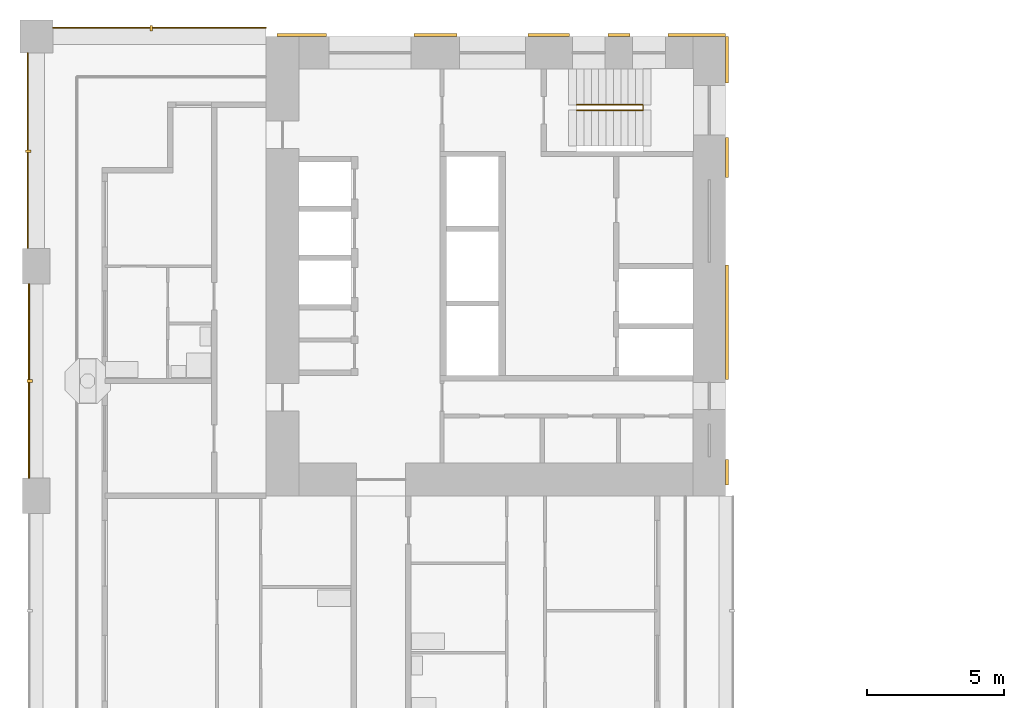
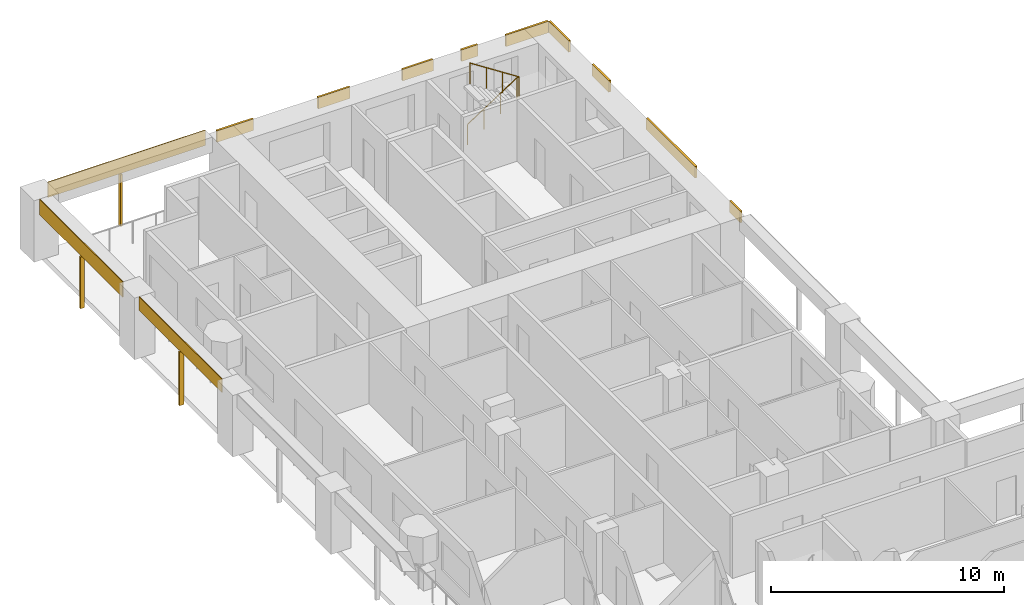
# One storey, part 14 of 18: 15 shading devices, 1 railing.
"""IFC4 building model written with IfcOpenShell, lengths in metres."""

from ifc_helpers import new_model, si_unit, direction, frame, origin, origin_2d, place, context, subcontext, project, spatial, rectangle, circle, extrude, material, layer, layer_set, material_profile, profile_set, type_object, element, save


model = new_model("IFC4")

# Units and contexts
model_context = context("Model", 3, precision=1e-05, world=origin(), true_north=direction((0.0, 1.0)))
body_context = subcontext(model_context, "Body", "Model", "MODEL_VIEW")
ifc_project = project(units=[si_unit("LENGTHUNIT", "METRE"), si_unit("AREAUNIT", "SQUARE_METRE"), si_unit("VOLUMEUNIT", "CUBIC_METRE"), si_unit("PLANEANGLEUNIT", "RADIAN"), si_unit("MASSUNIT", "GRAM", prefix="KILO")], contexts=[model_context])

# Site, building, storey
site_placement = place(None, origin())
site = spatial("IfcSite", under=ifc_project, at=site_placement, CompositionType="ELEMENT")
building_placement = place(site_placement, origin())
building = spatial("IfcBuilding", under=site, at=building_placement, Name="Vermilion Gate Residences", CompositionType="ELEMENT")
storey_placement = place(building_placement, frame((0.0, 0.0, 81.199951171875)))
storey = spatial("IfcBuildingStorey", under=building, at=storey_placement, Name="L19", CompositionType="ELEMENT", Elevation=81.199951171875)

# Shading devices
ifc_material_1 = material(Name="Perforated terracotta", Category="masonry")
ifc_layer_1 = layer(ifc_material_1, 0.0400390625)
ifc_layer_set_1 = layer_set([ifc_layer_1], Name="PERFORATED TERRACOTTA SCREEN 40")
shading_device_type_1 = type_object("IfcShadingDeviceType", Name="PERFORATED TERRACOTTA SCREEN 40", PredefinedType="SHUTTER", material=ifc_layer_set_1)
shading_device_1_placement = place(storey_placement, frame((4.5, 59.1201171875, 2.419921875), z_axis=(0.0, 0.0, 1.0), x_axis=(-1.0, 0.0, 0.0)))
element("IfcShadingDevice", 1, at=shading_device_1_placement, inside=storey, type_object=shading_device_type_1, Name="SCREEN", PredefinedType="SHUTTER", context=body_context, shape_type="SweptSolid", body=[
    extrude(rectangle(XDim=7.800048828125, YDim=0.0400390625, at=origin_2d()), origin(), (0.0, 0.0, 1.0), 0.800048828125),
])
shading_device_2_placement = place(storey_placement, frame((-0.27001953125, 46.199951171875, 2.52001953125), z_axis=(0.0, 0.0, 1.0), x_axis=(0.0, -1.0, 0.0)))
element("IfcShadingDevice", 2, at=shading_device_2_placement, inside=storey, type_object=shading_device_type_1, Name="SCREEN", PredefinedType="SHUTTER", context=body_context, shape_type="SweptSolid", body=[
    extrude(rectangle(XDim=7.10009765625, YDim=0.0400390625, at=origin_2d()), origin(), (0.0, 0.0, 1.0), 0.699951171875),
])
shading_device_3_placement = place(storey_placement, frame((-0.320068359375, 54.625, 2.419921875), z_axis=(0.0, 0.0, 1.0), x_axis=(0.0, -1.0, 0.0)))
element("IfcShadingDevice", 3, at=shading_device_3_placement, inside=storey, type_object=shading_device_type_1, Name="SCREEN", PredefinedType="SHUTTER", context=body_context, shape_type="SweptSolid", body=[
    extrude(rectangle(XDim=7.14990234375, YDim=0.0400390625, at=origin_2d()), origin(), (0.0, 0.0, 1.0), 0.800048828125),
])

# Railing
ifc_material_2 = material(Name="Steel S355", Category="steel")
railing_type = type_object("IfcRailingType", Name="STAIR GUARD 1100 STEEL", PredefinedType="GUARDRAIL", material=ifc_material_2)
railing_placement = place(storey_placement, frame((19.75, 56.300048828125, 0.175048828125)))
element("IfcRailing", 4, at=railing_placement, inside=storey, type_object=railing_type, Name="Stair well guard STB1-19", PredefinedType="GUARDRAIL", context=body_context, shape_type="SweptSolid", body=[
    extrude(circle(Radius=0.02392578125, at=origin_2d()), frame((0.0, 0.0, 1.076171875), z_axis=(0.839153699163, 0.0, 0.543894354798), x_axis=(0.0, 1.0, 0.0)), (0.0, 0.0, 1.0), 2.895751953125),
    extrude(circle(Radius=0.02392578125, at=origin_2d()), frame((2.429931640625, 0.0, 2.65087890625), z_axis=(0.0, -0.752405939678, 0.658699705433), x_axis=(1.0, 0.0, 0.0)), (0.0, 0.0, 1.0), 0.265869140625),
    extrude(circle(Radius=0.02392578125, at=origin_2d()), frame((2.429931640625, -0.199951171875, 2.826171875), z_axis=(-0.839153699163, 0.0, 0.543894354798), x_axis=(0.0, -1.0, 0.0)), (0.0, 0.0, 1.0), 2.895751953125),
    extrude(circle(Radius=0.02099609375, at=origin_2d()), origin(), (0.0, 0.0, 1.0), 1.052001953125),
    extrude(circle(Radius=0.02099609375, at=origin_2d()), frame((0.81005859375, 0.0, 0.52490234375)), (0.0, 0.0, 1.0), 1.052001953125),
    extrude(circle(Radius=0.02099609375, at=origin_2d()), frame((1.619873046875, 0.0, 1.050048828125)), (0.0, 0.0, 1.0), 1.052001953125),
    extrude(circle(Radius=0.02099609375, at=origin_2d()), frame((2.429931640625, 0.0, 1.574951171875)), (0.0, 0.0, 1.0), 1.052001953125),
    extrude(circle(Radius=0.02099609375, at=origin_2d()), frame((2.429931640625, -0.199951171875, 1.75)), (0.0, 0.0, 1.0), 1.052001953125),
    extrude(circle(Radius=0.02099609375, at=origin_2d()), frame((1.619873046875, -0.199951171875, 2.27490234375)), (0.0, 0.0, 1.0), 1.052001953125),
    extrude(circle(Radius=0.02099609375, at=origin_2d()), frame((0.81005859375, -0.199951171875, 2.800048828125)), (0.0, 0.0, 1.0), 1.052001953125),
    extrude(circle(Radius=0.02099609375, at=origin_2d()), frame((0.0, -0.199951171875, 3.324951171875)), (0.0, 0.0, 1.0), 1.052001953125),
])

# Shading devices
ifc_material_3 = material(Name="Extruded terracotta", Category="masonry")
ifc_material_profile = material_profile(ifc_material_3, rectangle(XDim=0.199951171875, YDim=0.10009765625, at=origin_2d()), Name="BAGUETTE 100 X 200")
ifc_profile_set = profile_set([ifc_material_profile], Name="Extruded terracotta")
shading_device_type_2 = type_object("IfcShadingDeviceType", Name="TERRACOTTA BAGUETTE 100 X 200", PredefinedType="JALOUSIE", material=ifc_profile_set)
shading_device_4_placement = place(storey_placement, frame((4.199951171875, 59.10009765625, -0.280029296875), z_axis=(0.0, 0.0, 1.0), x_axis=(0.0, -1.0, 0.0)))
element("IfcShadingDevice", 5, at=shading_device_4_placement, inside=storey, type_object=shading_device_type_2, Name="BAGUETTE", PredefinedType="JALOUSIE", context=body_context, shape_type="SweptSolid", body=[
    extrude(rectangle(XDim=0.199951171875, YDim=0.10009765625, at=origin_2d()), origin(), (0.0, 0.0, 1.0), 2.7001953125),
])
shading_device_5_placement = place(storey_placement, frame((-0.25, 46.199951171875, -0.280029296875), z_axis=(0.0, 0.0, 1.0), x_axis=(1.0, 0.0, 0.0)))
element("IfcShadingDevice", 6, at=shading_device_5_placement, inside=storey, type_object=shading_device_type_2, Name="BAGUETTE", PredefinedType="JALOUSIE", context=body_context, shape_type="SweptSolid", body=[
    extrude(rectangle(XDim=0.199951171875, YDim=0.10009765625, at=origin_2d()), origin(), (0.0, 0.0, 1.0), 2.800048828125),
])
shading_device_6_placement = place(storey_placement, frame((-0.300048828125, 54.60009765625, -0.280029296875), z_axis=(0.0, 0.0, 1.0), x_axis=(1.0, 0.0, 0.0)))
element("IfcShadingDevice", 7, at=shading_device_6_placement, inside=storey, type_object=shading_device_type_2, Name="BAGUETTE", PredefinedType="JALOUSIE", context=body_context, shape_type="SweptSolid", body=[
    extrude(rectangle(XDim=0.199951171875, YDim=0.10009765625, at=origin_2d()), origin(), (0.0, 0.0, 1.0), 2.7001953125),
])
ifc_material_4 = material(Name="Extruded terracotta", Category="masonry")
ifc_layer_2 = layer(ifc_material_4, 0.10009765625)
ifc_layer_set_2 = layer_set([ifc_layer_2], Name="TERRACOTTA SPANDREL BAND 600 X 100")
shading_device_type_3 = type_object("IfcShadingDeviceType", Name="TERRACOTTA SPANDREL BAND 600 X 100", PredefinedType="USERDEFINED", material=ifc_layer_set_2)
shading_device_7_placement = place(storey_placement, frame((9.702392578125, 58.85009765625, 2.6201171875), z_axis=(0.0, 0.0, 1.0), x_axis=(1.0, 0.0, 0.0)))
element("IfcShadingDevice", 8, at=shading_device_7_placement, inside=storey, type_object=shading_device_type_3, Name="SPANDREL BAND", ObjectType="BAND", PredefinedType="USERDEFINED", context=body_context, shape_type="SweptSolid", body=[
    extrude(rectangle(XDim=1.804931640625, YDim=0.10009765625, at=origin_2d()), origin(), (0.0, 0.0, 1.0), 0.60009765625),
])
shading_device_8_placement = place(storey_placement, frame((14.590087890625, 58.85009765625, 2.6201171875), z_axis=(0.0, 0.0, 1.0), x_axis=(1.0, 0.0, 0.0)))
element("IfcShadingDevice", 9, at=shading_device_8_placement, inside=storey, type_object=shading_device_type_3, Name="SPANDREL BAND", ObjectType="BAND", PredefinedType="USERDEFINED", context=body_context, shape_type="SweptSolid", body=[
    extrude(rectangle(XDim=1.570068359375, YDim=0.10009765625, at=origin_2d()), origin(), (0.0, 0.0, 1.0), 0.60009765625),
])
shading_device_9_placement = place(storey_placement, frame((18.734130859375, 58.85009765625, 2.6201171875), z_axis=(0.0, 0.0, 1.0), x_axis=(1.0, 0.0, 0.0)))
element("IfcShadingDevice", 10, at=shading_device_9_placement, inside=storey, type_object=shading_device_type_3, Name="SPANDREL BAND", ObjectType="BAND", PredefinedType="USERDEFINED", context=body_context, shape_type="SweptSolid", body=[
    extrude(rectangle(XDim=1.518310546875, YDim=0.10009765625, at=origin_2d()), origin(), (0.0, 0.0, 1.0), 0.60009765625),
])
shading_device_10_placement = place(storey_placement, frame((21.294921875, 58.85009765625, 2.6201171875), z_axis=(0.0, 0.0, 1.0), x_axis=(1.0, 0.0, 0.0)))
element("IfcShadingDevice", 11, at=shading_device_10_placement, inside=storey, type_object=shading_device_type_3, Name="SPANDREL BAND", ObjectType="BAND", PredefinedType="USERDEFINED", context=body_context, shape_type="SweptSolid", body=[
    extrude(rectangle(XDim=0.803466796875, YDim=0.10009765625, at=origin_2d()), origin(), (0.0, 0.0, 1.0), 0.60009765625),
])
shading_device_11_placement = place(storey_placement, frame((24.1484375, 58.85009765625, 2.6201171875), z_axis=(0.0, 0.0, 1.0), x_axis=(1.0, 0.0, 0.0)))
element("IfcShadingDevice", 12, at=shading_device_11_placement, inside=storey, type_object=shading_device_type_3, Name="SPANDREL BAND", ObjectType="BAND", PredefinedType="USERDEFINED", context=body_context, shape_type="SweptSolid", body=[
    extrude(rectangle(XDim=2.103271484375, YDim=0.10009765625, at=origin_2d()), origin(), (0.0, 0.0, 1.0), 0.60009765625),
])
shading_device_12_placement = place(storey_placement, frame((25.25, 42.862548828125, 2.6201171875), z_axis=(0.0, 0.0, 1.0), x_axis=(0.0, 1.0, 0.0)))
element("IfcShadingDevice", 13, at=shading_device_12_placement, inside=storey, type_object=shading_device_type_3, Name="SPANDREL BAND", ObjectType="BAND", PredefinedType="USERDEFINED", context=body_context, shape_type="SweptSolid", body=[
    extrude(rectangle(XDim=0.925048828125, YDim=0.10009765625, at=origin_2d()), origin(), (0.0, 0.0, 1.0), 0.60009765625),
])
shading_device_13_placement = place(storey_placement, frame((25.25, 48.35009765625, 2.6201171875), z_axis=(0.0, 0.0, 1.0), x_axis=(0.0, 1.0, 0.0)))
element("IfcShadingDevice", 14, at=shading_device_13_placement, inside=storey, type_object=shading_device_type_3, Name="SPANDREL BAND", ObjectType="BAND", PredefinedType="USERDEFINED", context=body_context, shape_type="SweptSolid", body=[
    extrude(rectangle(XDim=4.199951171875, YDim=0.10009765625, at=origin_2d()), origin(), (0.0, 0.0, 1.0), 0.60009765625),
])
shading_device_14_placement = place(storey_placement, frame((25.25, 54.375, 2.6201171875), z_axis=(0.0, 0.0, 1.0), x_axis=(0.0, 1.0, 0.0)))
element("IfcShadingDevice", 15, at=shading_device_14_placement, inside=storey, type_object=shading_device_type_3, Name="SPANDREL BAND", ObjectType="BAND", PredefinedType="USERDEFINED", context=body_context, shape_type="SweptSolid", body=[
    extrude(rectangle(XDim=1.449951171875, YDim=0.10009765625, at=origin_2d()), origin(), (0.0, 0.0, 1.0), 0.60009765625),
])
shading_device_15_placement = place(storey_placement, frame((25.25, 57.949951171875, 2.6201171875), z_axis=(0.0, 0.0, 1.0), x_axis=(0.0, 1.0, 0.0)))
element("IfcShadingDevice", 16, at=shading_device_15_placement, inside=storey, type_object=shading_device_type_3, Name="SPANDREL BAND", ObjectType="BAND", PredefinedType="USERDEFINED", context=body_context, shape_type="SweptSolid", body=[
    extrude(rectangle(XDim=1.699951171875, YDim=0.10009765625, at=origin_2d()), origin(), (0.0, 0.0, 1.0), 0.60009765625),
])

save(model, "model.ifc")
